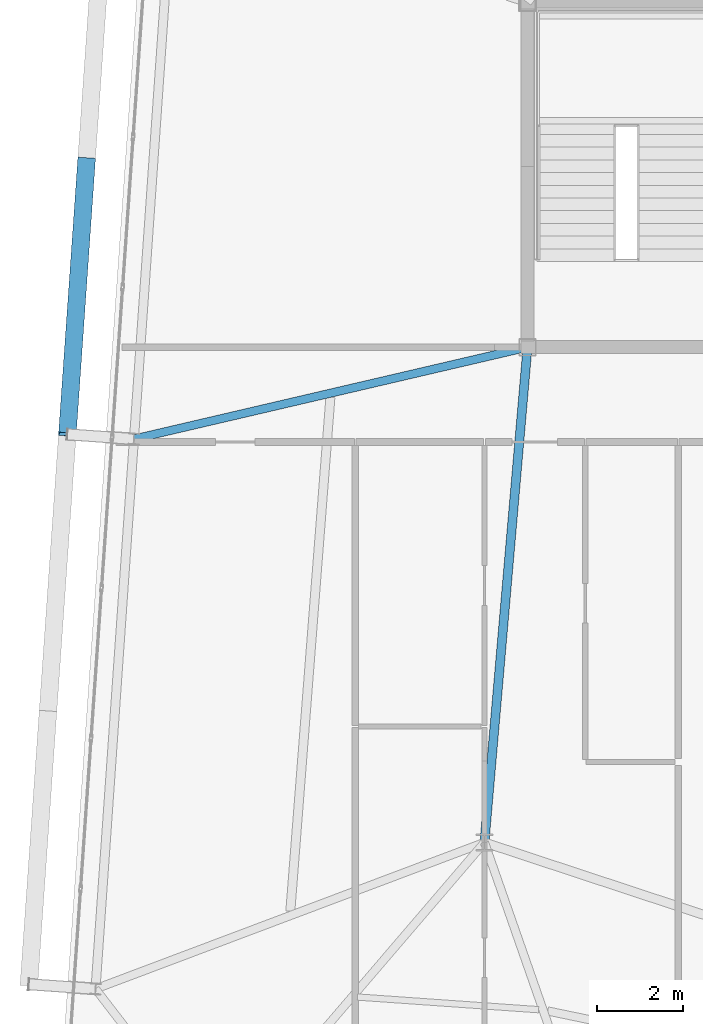
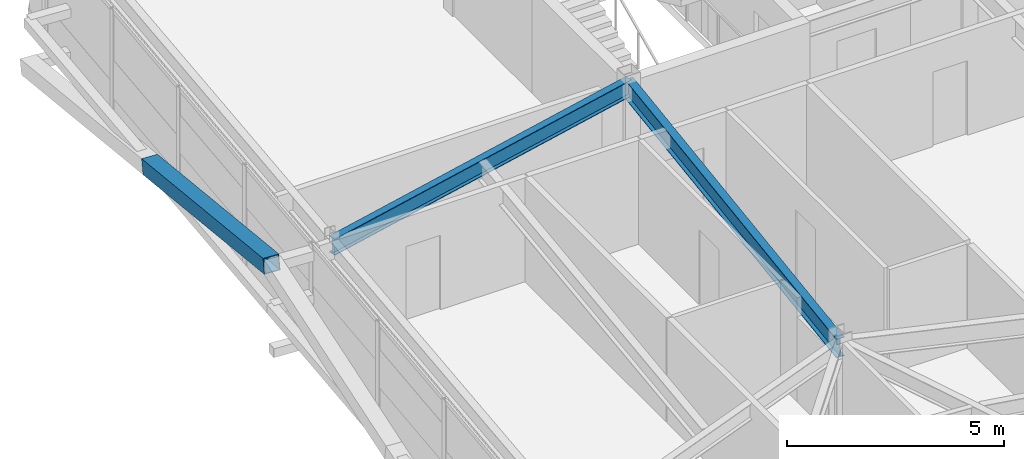
# One storey, part 15 of 47: 2 beams, 1 member.
"""IFC4 building model written with IfcOpenShell, lengths in metres."""

import ifcopenshell
import ifcopenshell.guid

model = None  # the IFC model being written
_history = None  # IfcOwnerHistory: only IFC2X3 demands one
_inside = {}  # id of a spatial element -> (the spatial element, [elements in it])
_under = {}  # id of a project, library or spatial element -> (it, [spatial elements below it])
_declared = {}  # id of a project -> (the project, [libraries it declares])
_typed = {}  # id of a type object -> (the type object, [elements of that type])
_made_of = {}  # id of a material, layer set ... -> (it, [elements and type objects made of it])


def new_model(schema):
    """Start an empty IFC model of exactly this schema.

    Asked for "IFC4X3", IfcOpenShell would pick the latest addendum, in which some entities
    have other attributes; the version numbers below select the first issue.
    IFC2X3 requires an IfcOwnerHistory on every rooted entity: one is made here for all.
    """
    global model, _history
    if schema == "IFC4X3":
        model = ifcopenshell.file(schema_version=(4, 3, 0, 0))
    else:
        model = ifcopenshell.file(schema=schema)
    _inside.clear()
    _under.clear()
    _declared.clear()
    _typed.clear()
    _made_of.clear()
    _history = None
    if model.schema == "IFC2X3":
        org = make("IfcOrganization", Name="unknown")
        user = make(
            "IfcPersonAndOrganization",
            ThePerson=make("IfcPerson", FamilyName="unknown"),
            TheOrganization=org,
        )
        app = make(
            "IfcApplication",
            ApplicationDeveloper=org,
            Version="unknown",
            ApplicationFullName="unknown",
            ApplicationIdentifier="unknown",
        )
        _history = make(
            "IfcOwnerHistory",
            OwningUser=user,
            OwningApplication=app,
            ChangeAction="ADDED",
            CreationDate=0,
        )
    return model


def make(cls, **values):
    """One entity of the class cls with the attributes given. An attribute that is None is left unset."""
    return model.create_entity(
        cls, **{name: value for name, value in values.items() if value is not None}
    )


def rooted(cls, **values):
    """An entity with a GlobalId (a new one), such as an element, a storey or a relation."""
    return make(cls, GlobalId=ifcopenshell.guid.new(), OwnerHistory=_history, **values)


def si_unit(unit_type, name, prefix=None):
    """IfcSIUnit, for example si_unit("LENGTHUNIT", "METRE", prefix="MILLI")."""
    return make("IfcSIUnit", UnitType=unit_type, Prefix=prefix, Name=name)


def assignment(units):
    """IfcUnitAssignment: the units of a project."""
    return None if units is None else make("IfcUnitAssignment", Units=units)


def point(xyz):
    """IfcCartesianPoint."""
    return None if xyz is None else make("IfcCartesianPoint", Coordinates=xyz)


def direction(xyz):
    """IfcDirection."""
    return None if xyz is None else make("IfcDirection", DirectionRatios=xyz)


def frame(location, z_axis=None, x_axis=None):
    """IfcAxis2Placement3D, a coordinate frame: its origin and axes. An axis left out is left unset."""
    return make(
        "IfcAxis2Placement3D",
        Location=point(location),
        Axis=direction(z_axis),
        RefDirection=direction(x_axis),
    )


def frame_2d(location, x_axis=None):
    """IfcAxis2Placement2D, a coordinate frame in the plane: its origin and x axis."""
    return make(
        "IfcAxis2Placement2D", Location=point(location), RefDirection=direction(x_axis)
    )


def origin():
    """The frame at (0, 0, 0) with its axes left unset."""
    return frame((0.0, 0.0, 0.0))


def origin_2d():
    """The frame at (0, 0) in the plane with its x axis left unset."""
    return frame_2d((0.0, 0.0))


def place(relative_to, where):
    """IfcLocalPlacement: puts the frame where relative to a parent placement (None: the world)."""
    return make(
        "IfcLocalPlacement", PlacementRelTo=relative_to, RelativePlacement=where
    )


def context(
    kind, dimensions, precision=None, world=None, true_north=None, identifier=None
):
    """IfcGeometricRepresentationContext, for example the 3D "Model" context."""
    return make(
        "IfcGeometricRepresentationContext",
        ContextIdentifier=identifier,
        ContextType=kind,
        CoordinateSpaceDimension=dimensions,
        Precision=precision,
        WorldCoordinateSystem=world,
        TrueNorth=true_north,
    )


def subcontext(parent, identifier, kind, view, scale=None):
    """IfcGeometricRepresentationSubContext, for example "Body" below "Model"."""
    return make(
        "IfcGeometricRepresentationSubContext",
        ContextIdentifier=identifier,
        ContextType=kind,
        ParentContext=parent,
        TargetScale=scale,
        TargetView=view,
    )


def project(units=None, contexts=None):
    """IfcProject with its units and contexts."""
    return rooted(
        "IfcProject",
        Name="project",
        RepresentationContexts=contexts,
        UnitsInContext=assignment(units),
    )


def spatial(cls, under=None, at=None, **own):
    """A site, building, storey or space (cls), placed at a placement, below another one or the project."""
    s = rooted(cls, ObjectPlacement=at, **own)
    if under is not None:
        _under.setdefault(under.id(), (under, []))[1].append(s)
    return s


def profile(cls, at=None, kind="AREA", **sizes):
    """A parametric profile (cls). Its sizes go by their IFC names, for example OverallWidth=200.0."""
    return make(cls, ProfileType=kind, Position=at, **sizes)


def hollow_rectangle(**sizes):
    """IfcRectangleHollowProfileDef."""
    return profile("IfcRectangleHollowProfileDef", **sizes)


def i_section(**sizes):
    """IfcIShapeProfileDef."""
    return profile("IfcIShapeProfileDef", **sizes)


def extrude(swept, where, along, depth):
    """IfcExtrudedAreaSolid: the profile swept, set in the frame where, extruded along a direction by depth."""
    return make(
        "IfcExtrudedAreaSolid",
        SweptArea=swept,
        Position=where,
        ExtrudedDirection=direction(along),
        Depth=depth,
    )


def shape(context_of_items, identifier, shape_type, items):
    """IfcShapeRepresentation: the items that make up one representation, for example the "Body"."""
    return make(
        "IfcShapeRepresentation",
        ContextOfItems=context_of_items,
        RepresentationIdentifier=identifier,
        RepresentationType=shape_type,
        Items=items,
    )


def source(mapping_origin, context_of_items, identifier, shape_type, items):
    """IfcRepresentationMap: a shape defined once, which mapped items show again and again."""
    return make(
        "IfcRepresentationMap",
        MappingOrigin=mapping_origin,
        MappedRepresentation=shape(context_of_items, identifier, shape_type, items),
    )


def transform(
    local_origin,
    x_axis=None,
    y_axis=None,
    z_axis=None,
    scale=None,
    scale2=None,
    scale3=None,
    uniform=True,
):
    """IfcCartesianTransformationOperator3D, or its non-uniform kind. x_axis, y_axis, z_axis: its Axis1, 2, 3."""
    if uniform:
        return make(
            "IfcCartesianTransformationOperator3D",
            Axis1=direction(x_axis),
            Axis2=direction(y_axis),
            LocalOrigin=point(local_origin),
            Scale=scale,
            Axis3=direction(z_axis),
        )
    return make(
        "IfcCartesianTransformationOperator3DnonUniform",
        Axis1=direction(x_axis),
        Axis2=direction(y_axis),
        LocalOrigin=point(local_origin),
        Scale=scale,
        Axis3=direction(z_axis),
        Scale2=scale2,
        Scale3=scale3,
    )


def mapped(mapping_source, mapping_target):
    """IfcMappedItem: shows the shape of a source again, moved by a transform."""
    return make(
        "IfcMappedItem", MappingSource=mapping_source, MappingTarget=mapping_target
    )


def material(Name=None, Category=None):
    """IfcMaterial."""
    return make("IfcMaterial", Name=Name, Category=Category)


def material_profile(
    of_material, cross_section, Name=None, Category=None, Priority=None
):
    """IfcMaterialProfile: a cross section and its material."""
    return make(
        "IfcMaterialProfile",
        Name=Name,
        Material=of_material,
        Profile=cross_section,
        Priority=Priority,
        Category=Category,
    )


def profile_set(profiles, Name=None, composite=None):
    """IfcMaterialProfileSet."""
    return make(
        "IfcMaterialProfileSet",
        Name=Name,
        MaterialProfiles=profiles,
        CompositeProfile=composite,
    )


def made_of(thing, what):
    """Note that an element or type object is made of a material, layer set ...; save() writes the relation."""
    if what is not None:
        _made_of.setdefault(what.id(), (what, []))[1].append(thing)
    return thing


def type_object(cls, material=None, **own):
    """A type object (cls), such as IfcWallType, which elements share."""
    return made_of(rooted(cls, **own), material)


def element(
    cls,
    number,
    at=None,
    inside=None,
    cuts=None,
    type_object=None,
    material=None,
    context=None,
    identifier="Body",
    shape_type=None,
    held_by="IfcProductDefinitionShape",
    body=None,
    shapes=None,
    **own,
):
    """One element of the class cls, such as IfcWall. Its Tag is "e" and its number.

    at: its placement. inside: the storey or other place that contains it. cuts: it is an
    opening in that element (IfcRelVoidsElement). A single representation is given by context,
    identifier, shape_type and body (its items); several are given by shapes. held_by: the class
    of the entity that holds the representations. save() writes the other relations.
    """
    e = rooted(cls, Tag="e%d" % number, ObjectPlacement=at, **own)
    if body is not None:
        shapes = [shape(context, identifier, shape_type, body)]
    if shapes is not None:
        e.Representation = make(held_by, Representations=shapes)
    if inside is not None:
        _inside.setdefault(inside.id(), (inside, []))[1].append(e)
    if cuts is not None:
        rooted(
            "IfcRelVoidsElement", RelatingBuildingElement=cuts, RelatedOpeningElement=e
        )
    if type_object is not None:
        _typed.setdefault(type_object.id(), (type_object, []))[1].append(e)
    return made_of(e, material)


def aggregate(whole, parts):
    """IfcRelAggregates: a whole, such as a stair, and the parts it consists of."""
    return rooted("IfcRelAggregates", RelatingObject=whole, RelatedObjects=parts)


def save(model, path):
    """Write the relations noted so far, then the file.

    IfcRelAggregates (storeys below a building ...), IfcRelContainedInSpatialStructure (elements
    in a storey), IfcRelDefinesByType, IfcRelAssociatesMaterial and IfcRelDeclares: one each for
    every whole, place, type object, material and project.
    """
    for whole, parts in _under.values():
        aggregate(whole, parts)
    for where, things in _inside.values():
        rooted(
            "IfcRelContainedInSpatialStructure",
            RelatedElements=things,
            RelatingStructure=where,
        )
    for kind, things in _typed.values():
        rooted("IfcRelDefinesByType", RelatedObjects=things, RelatingType=kind)
    for what, things in _made_of.values():
        rooted("IfcRelAssociatesMaterial", RelatedObjects=things, RelatingMaterial=what)
    for by, libraries in _declared.values():
        rooted("IfcRelDeclares", RelatingContext=by, RelatedDefinitions=libraries)
    model.write(path)


model = new_model("IFC4")

# Units and contexts
model_context = context("Model", 3, precision=1e-05, world=origin(), true_north=direction((0.0, 1.0)))
body_context = subcontext(model_context, "Body", "Model", "MODEL_VIEW")
ifc_project = project(units=[si_unit("LENGTHUNIT", "METRE"), si_unit("AREAUNIT", "SQUARE_METRE"), si_unit("VOLUMEUNIT", "CUBIC_METRE"), si_unit("PLANEANGLEUNIT", "RADIAN"), si_unit("MASSUNIT", "GRAM", prefix="KILO")], contexts=[model_context])

# Site, building, storey
site_placement = place(None, origin())
site = spatial("IfcSite", under=ifc_project, at=site_placement, CompositionType="ELEMENT")
building_placement = place(site_placement, origin())
building = spatial("IfcBuilding", under=site, at=building_placement, Name="Taldren Reach Tower", CompositionType="ELEMENT")
storey_placement = place(building_placement, frame((0.0, 0.0, 139.300048828125)))
storey = spatial("IfcBuildingStorey", under=building, at=storey_placement, Name="L42", CompositionType="ELEMENT", Elevation=139.300048828125)

# Beams
ifc_material_1 = material(Name="Steel Gr 350 (350PLUS)", Category="steel")
ifc_material_profile_1 = material_profile(ifc_material_1, i_section(OverallWidth=0.208984375, OverallDepth=0.532958984375, WebThickness=0.01025390625, FlangeThickness=0.015625, at=origin_2d()), Name="530UB92.4")
ifc_profile_set_1 = profile_set([ifc_material_profile_1], Name="Steel Gr 350 (350PLUS)")
beam_type_1 = type_object("IfcBeamType", Name="BM-UB530A", PredefinedType="BEAM", material=ifc_profile_set_1)
shared_shape_1 = source(origin(), body_context, "Body", "SweptSolid", [
    extrude(i_section(OverallWidth=0.208984375, OverallDepth=0.532958984375, WebThickness=0.01025390625, FlangeThickness=0.015625, at=origin_2d()), origin(), (0.0, 0.0, 1.0), 11.54345703125),
])
beam_1_placement = place(storey_placement, frame((19.0, 24.0, 2.663330078125), z_axis=(-0.086629616365, -0.996240588196, 0.0), x_axis=(0.996240588196, -0.086629616365, 0.0)))
element("IfcBeam", 1, at=beam_1_placement, inside=storey, type_object=beam_type_1, Name="Core-spine girder L42-SP09", PredefinedType="BEAM", context=body_context, shape_type="MappedRepresentation", body=[
    mapped(shared_shape_1, transform((0.0, 0.0, 0.0), scale=1.0)),
])
ifc_material_profile_2 = material_profile(ifc_material_1, i_section(OverallWidth=0.19091796875, OverallDepth=0.4599609375, WebThickness=0.010009765625, FlangeThickness=0.01611328125, at=origin_2d()), Name="460UB82.1")
ifc_profile_set_2 = profile_set([ifc_material_profile_2], Name="Steel Gr 350 (350PLUS)")
beam_type_2 = type_object("IfcBeamType", Name="BM-UB460A", PredefinedType="BEAM", material=ifc_profile_set_2)
shared_shape_2 = source(origin(), body_context, "Body", "SweptSolid", [
    extrude(i_section(OverallWidth=0.19091796875, OverallDepth=0.4599609375, WebThickness=0.010009765625, FlangeThickness=0.01611328125, at=origin_2d()), origin(), (0.0, 0.0, 1.0), 9.383544921875),
])
beam_2_placement = place(storey_placement, frame((19.0, 24.0, 2.699951171875), z_axis=(-0.973856560651, -0.227163815951, 0.0), x_axis=(0.227163815951, -0.973856560651, 0.0)))
element("IfcBeam", 2, at=beam_2_placement, inside=storey, type_object=beam_type_2, Name="Primary floor girder B3-W2 L42", PredefinedType="BEAM", context=body_context, shape_type="MappedRepresentation", body=[
    mapped(shared_shape_2, transform((0.0, 0.0, 0.0), scale=1.0)),
])

# Member
ifc_material_2 = material(Name="Steel Gr 450 (C450L0)", Category="steel")
ifc_material_profile_3 = material_profile(ifc_material_2, hollow_rectangle(XDim=0.409912109375, YDim=0.409912109375, WallThickness=0.01611328125, at=origin_2d()), Name="410x410x16.0SHS")
ifc_profile_set_3 = profile_set([ifc_material_profile_3], Name="Steel Gr 450 (C450L0)")
member_type = type_object("IfcMemberType", Name="MB-EXO406", PredefinedType="BRACE", material=ifc_profile_set_3)
shared_shape_3 = source(origin(), body_context, "Body", "SweptSolid", [
    extrude(hollow_rectangle(XDim=0.409912109375, YDim=0.409912109375, WallThickness=0.01611328125, at=origin_2d()), origin(), (0.0, 0.0, 1.0), 6.51416015625),
])
member_placement = place(storey_placement, frame((8.761962890625, 28.36083984375, 1.43505859375), z_axis=(-0.068548123702, -0.980062020128, 0.186492872358), x_axis=(0.997562951496, -0.069772185021, 0.0)))
element("IfcMember", 3, at=member_placement, inside=storey, type_object=member_type, Name="Exoskeleton Diagrid Brace B3-W2 L42", PredefinedType="BRACE", context=body_context, shape_type="MappedRepresentation", body=[
    mapped(shared_shape_3, transform((0.0, 0.0, 0.0), scale=1.0)),
])

save(model, "model.ifc")
